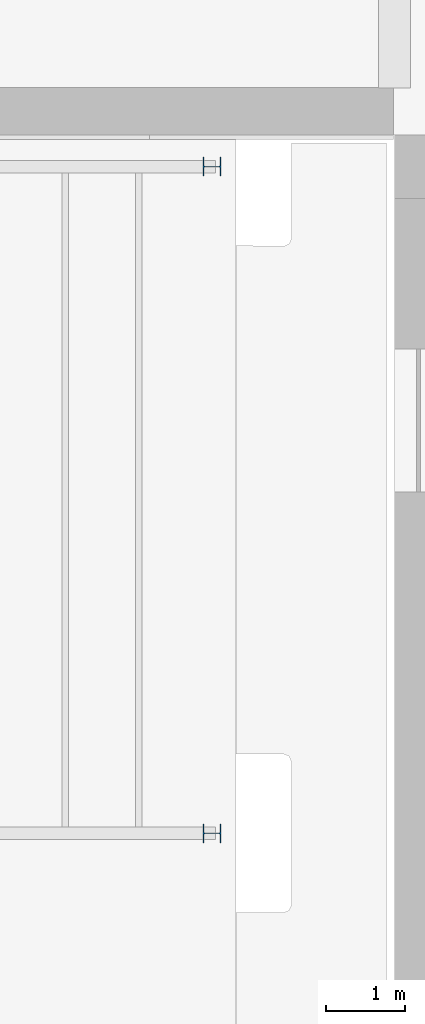
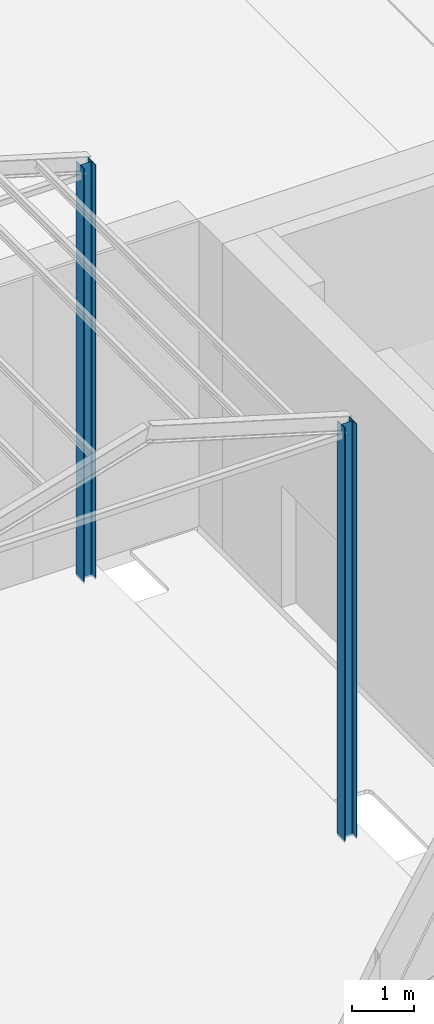
# One storey, part 13 of 155: 2 columns.
"""IFC4 building model written with IfcOpenShell, lengths in metres."""

from ifc_helpers import new_model, si_unit, direction, frame, origin, origin_2d, place, context, subcontext, project, spatial, i_section, extrude, material, material_profile, profile_set, type_object, element, save


model = new_model("IFC4")

# Units and contexts
model_context = context("Model", 3, precision=1e-05, world=origin(), true_north=direction((0.0, 1.0)))
body_context = subcontext(model_context, "Body", "Model", "MODEL_VIEW")
ifc_project = project(units=[si_unit("LENGTHUNIT", "METRE"), si_unit("AREAUNIT", "SQUARE_METRE"), si_unit("VOLUMEUNIT", "CUBIC_METRE"), si_unit("PLANEANGLEUNIT", "RADIAN"), si_unit("MASSUNIT", "GRAM", prefix="KILO")], contexts=[model_context])

# Site, building, storey
site_placement = place(None, origin())
site = spatial("IfcSite", under=ifc_project, at=site_placement, CompositionType="ELEMENT")
building_placement = place(site_placement, origin())
building = spatial("IfcBuilding", under=site, at=building_placement, Name="Lunette Opera House", CompositionType="ELEMENT")
storey_placement = place(building_placement, origin())
storey = spatial("IfcBuildingStorey", under=building, at=storey_placement, Name="L00", CompositionType="ELEMENT", Elevation=0.0)

# Columns
ifc_material = material(Name="Steel S355", Category="steel")
ifc_material_profile = material_profile(ifc_material, i_section(OverallWidth=0.239990234375, OverallDepth=0.22998046875, WebThickness=0.007568359375, FlangeThickness=0.011962890625, FilletRadius=0.02099609375, at=origin_2d()), Name="HEA 240")
ifc_profile_set = profile_set([ifc_material_profile], Name="Steel S355")
column_type = type_object("IfcColumnType", Name="STEEL COLUMN HEA 240", PredefinedType="COLUMN", material=ifc_profile_set)
for number, where, z_axis, x_axis, name in (
    (1, (73.699951171875, 87.199951171875, 0.0), (0.0, 0.0, 1.0), (0.0, 1.0, 0.0), "col-PP-L00-FLW1B"),
    (2, (73.699951171875, 95.60009765625, 0.0), (0.0, 0.0, 1.0), (0.0, 1.0, 0.0), "col-PP-L00-FLW2B"),
):
    element("IfcColumn", number, at=place(storey_placement, frame(where, z_axis=z_axis, x_axis=x_axis)), inside=storey, type_object=column_type, Name=name, PredefinedType="COLUMN", context=body_context, shape_type="SweptSolid", body=[
        extrude(i_section(OverallWidth=0.239990234375, OverallDepth=0.22998046875, WebThickness=0.007568359375, FlangeThickness=0.011962890625, FilletRadius=0.02099609375, at=origin_2d()), origin(), (0.0, 0.0, 1.0), 8.14990234375),
    ])

save(model, "model.ifc")
